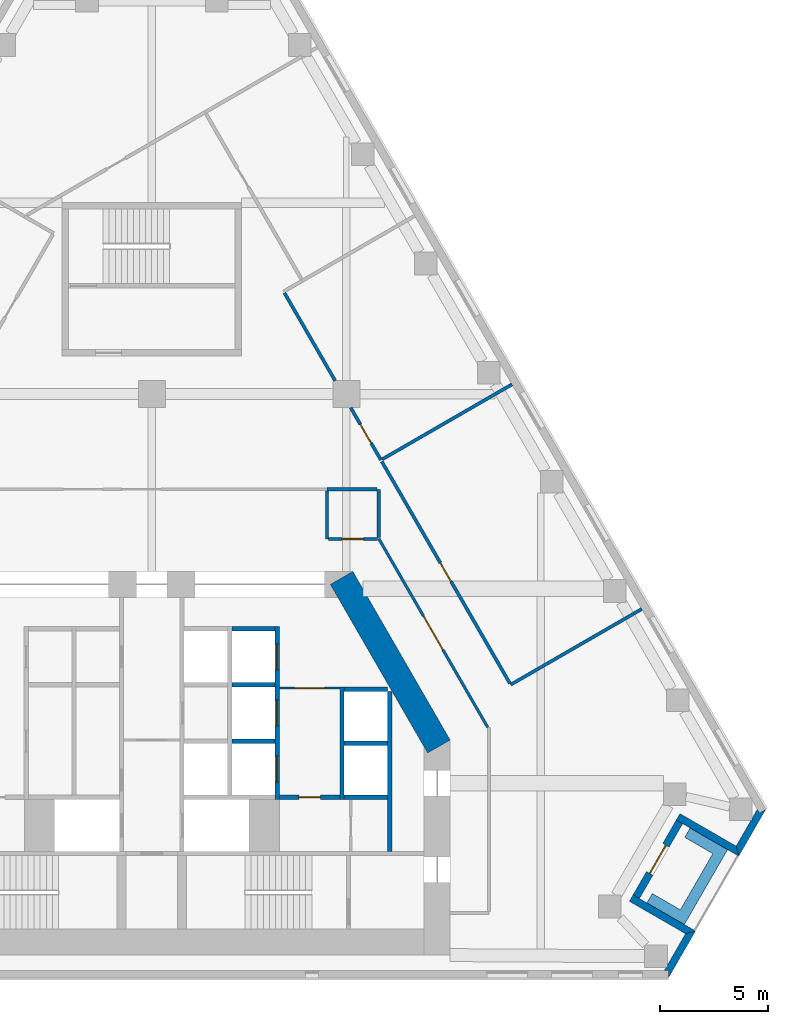
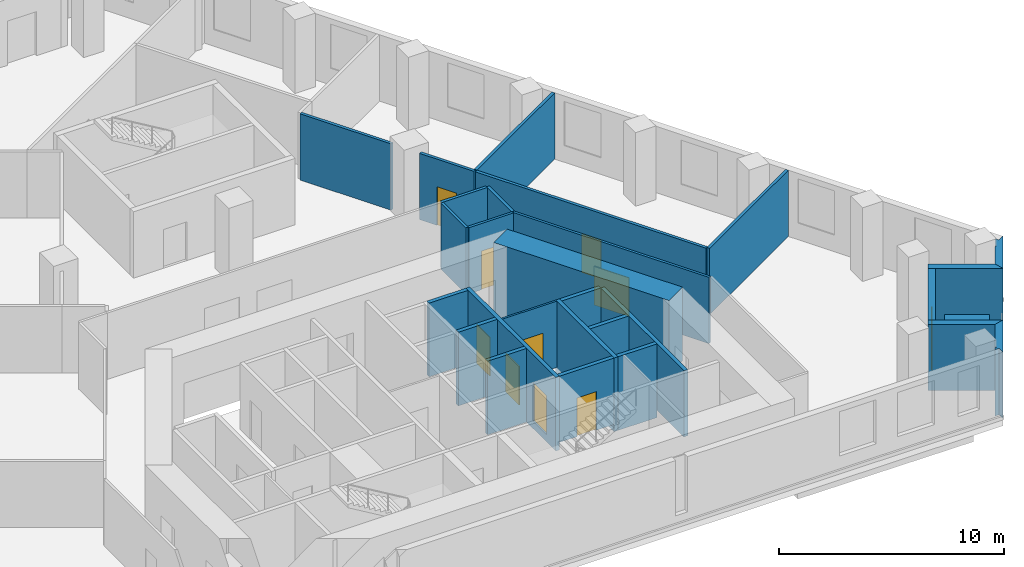
# One storey, part 5 of 7: 28 walls, 10 doors, 10 openings.
"""IFC4 building model written with IfcOpenShell, lengths in metres."""

from ifc_helpers import new_model, si_unit, direction, frame, frame_2d, origin, place, context, subcontext, project, spatial, polyline, rectangle, outline, extrude, material, layer, layer_set, type_object, element, fill, save


model = new_model("IFC4")

# Units and contexts
model_context = context("Model", 3, precision=1e-05, world=origin(), true_north=direction((0.0, 1.0)))
body_context = subcontext(model_context, "Body", "Model", "MODEL_VIEW")
ifc_project = project(units=[si_unit("LENGTHUNIT", "METRE"), si_unit("AREAUNIT", "SQUARE_METRE"), si_unit("VOLUMEUNIT", "CUBIC_METRE"), si_unit("PLANEANGLEUNIT", "RADIAN"), si_unit("MASSUNIT", "GRAM", prefix="KILO")], contexts=[model_context])

# Site, building, storey
site_placement = place(None, origin())
site = spatial("IfcSite", under=ifc_project, at=site_placement, CompositionType="ELEMENT")
building_placement = place(site_placement, origin())
building = spatial("IfcBuilding", under=site, at=building_placement, Name="Fogline Exchange Tower", CompositionType="ELEMENT")
storey_placement = place(building_placement, frame((0.0, 0.0, 170.89990234375)))
storey = spatial("IfcBuildingStorey", under=building, at=storey_placement, Name="L38", CompositionType="ELEMENT", Elevation=170.89990234375)

# Wall, opening, door
ifc_material_1 = material(Name="Blockwork partition", Category="masonry")
ifc_layer_1 = layer(ifc_material_1, 0.10009765625)
ifc_layer_set_1 = layer_set([ifc_layer_1], Name="CW10")
wall_type_1 = type_object("IfcWallType", Name="CW10", PredefinedType="PARTITIONING", material=ifc_layer_set_1)
wall_1_placement = place(storey_placement, frame((5.89990234375, 13.39990234375, 0.0), z_axis=(0.0, 0.0, 1.0), x_axis=(1.0, 0.0, 0.0)))
wall_1 = element("IfcWall", 1, at=wall_1_placement, inside=storey, type_object=wall_type_1, Name="Lift lobby partition", PredefinedType="PARTITIONING", context=body_context, shape_type="SweptSolid", body=[
    extrude(rectangle(XDim=2.800048828125, YDim=0.10009765625, at=frame_2d((1.39990234375, 0.0))), origin(), (0.0, 0.0, 1.0), 3.60009765625),
])
opening_1_placement = place(wall_1_placement, frame((0.699951171875, 0.0, 0.0)))
opening_1 = element("IfcOpeningElement", 2, at=opening_1_placement, cuts=wall_1, Name="Opening T12-C013", PredefinedType="OPENING", context=body_context, shape_type="SweptSolid", body=[
    extrude(rectangle(XDim=1.39990234375, YDim=2.10009765625, at=frame_2d((0.699951171875, 1.050048828125))), frame((0.0, 0.06005859375, 0.0), z_axis=(0.0, -1.0, 0.0), x_axis=(1.0, 0.0, 0.0)), (0.0, 0.0, 1.0), 0.1201171875),
])
ifc_material_2 = material(Name="Steel and timber fire door", Category="steel")
door_type_1 = type_object("IfcDoorType", Name="D-LB1", OperationType="DOUBLE_DOOR_SINGLE_SWING", PredefinedType="DOOR", material=ifc_material_2)
door_1_placement = place(opening_1_placement, frame((1.39990234375, 0.0, 0.0), z_axis=(0.0, 0.0, 1.0), x_axis=(-1.0, 0.0, 0.0)))
door_1 = element("IfcDoor", 3, at=door_1_placement, inside=storey, type_object=door_type_1, Name="Door to lift lobby", OperationType="DOUBLE_DOOR_SINGLE_SWING", OverallHeight=2.10009765625, OverallWidth=1.39990234375, PredefinedType="DOOR", context=body_context, shape_type="SweptSolid", body=[
    extrude(rectangle(XDim=1.39990234375, YDim=2.10009765625, at=frame_2d((0.699951171875, 1.050048828125))), frame((0.0, 0.02490234375, 0.0), z_axis=(0.0, -1.0, 0.0), x_axis=(1.0, 0.0, 0.0)), (0.0, 0.0, 1.0), 0.050048828125),
])
fill(opening_1, door_1)

# Wall
ifc_material_3 = material(Name="Concrete C40", Category="concrete")
ifc_layer_2 = layer(ifc_material_3, 0.199951171875)
ifc_layer_set_2 = layer_set([ifc_layer_2], Name="CW20")
wall_type_2 = type_object("IfcWallType", Name="CW20", PredefinedType="SOLIDWALL", material=ifc_layer_set_2)
wall_2_placement = place(storey_placement, frame((11.0, 5.85009765625, 0.0), z_axis=(0.0, 0.0, 1.0), x_axis=(0.0, 1.0, 0.0)))
element("IfcWall", 4, at=wall_2_placement, inside=storey, type_object=wall_type_2, Name="Service room wall", PredefinedType="SOLIDWALL", context=body_context, shape_type="SweptSolid", body=[
    extrude(rectangle(XDim=7.39990234375, YDim=0.199951171875, at=frame_2d((3.699951171875, 0.0))), origin(), (0.0, 0.0, 1.0), 3.60009765625),
])

# Wall, opening, door
wall_3_placement = place(storey_placement, frame((5.89990234375, 8.35009765625, 0.0), z_axis=(0.0, 0.0, 1.0), x_axis=(1.0, 0.0, 0.0)))
wall_3 = element("IfcWall", 5, at=wall_3_placement, inside=storey, type_object=wall_type_2, Name="WC wall", PredefinedType="SOLIDWALL", context=body_context, shape_type="SweptSolid", body=[
    extrude(rectangle(XDim=2.800048828125, YDim=0.199951171875, at=frame_2d((1.39990234375, 0.0))), origin(), (0.0, 0.0, 1.0), 3.60009765625),
])
opening_2_placement = place(wall_3_placement, frame((0.89990234375, 0.0, 0.0)))
opening_2 = element("IfcOpeningElement", 6, at=opening_2_placement, cuts=wall_3, Name="Opening T12-C014", PredefinedType="OPENING", context=body_context, shape_type="SweptSolid", body=[
    extrude(rectangle(XDim=1.0, YDim=2.10009765625, at=frame_2d((0.5, 1.050048828125))), frame((0.0, 0.10986328125, 0.0), z_axis=(0.0, -1.0, 0.0), x_axis=(1.0, 0.0, 0.0)), (0.0, 0.0, 1.0), 0.219970703125),
])
door_type_2 = type_object("IfcDoorType", Name="D-WC1", OperationType="SINGLE_SWING_LEFT", PredefinedType="DOOR", material=ifc_material_2)
door_2_placement = place(opening_2_placement, frame((1.0, 0.0, 0.0), z_axis=(0.0, 0.0, 1.0), x_axis=(-1.0, 0.0, 0.0)))
door_2 = element("IfcDoor", 7, at=door_2_placement, inside=storey, type_object=door_type_2, Name="Door to Women's WC", OperationType="SINGLE_SWING_LEFT", OverallHeight=2.10009765625, OverallWidth=1.0, PredefinedType="DOOR", context=body_context, shape_type="SweptSolid", body=[
    extrude(rectangle(XDim=1.0, YDim=2.10009765625, at=frame_2d((0.5, 1.050048828125))), frame((0.0, 0.02490234375, 0.0), z_axis=(0.0, -1.0, 0.0), x_axis=(1.0, 0.0, 0.0)), (0.0, 0.0, 1.0), 0.050048828125),
])
fill(opening_2, door_2)

# Wall
ifc_layer_3 = layer(ifc_material_3, 0.199951171875)
ifc_layer_set_3 = layer_set([ifc_layer_3], Name="CW20S")
wall_type_3 = type_object("IfcWallType", Name="CW20S", PredefinedType="SOLIDWALL", material=ifc_layer_set_3)
wall_4_placement = place(storey_placement, frame((8.800048828125, 8.25, -0.39990234375), z_axis=(0.0, 0.0, 1.0), x_axis=(0.0, 1.0, 0.0)))
element("IfcWall", 8, at=wall_4_placement, inside=storey, type_object=wall_type_3, Name="Lift shaft wall", PredefinedType="SOLIDWALL", context=body_context, shape_type="SweptSolid", body=[
    extrude(rectangle(XDim=5.199951171875, YDim=0.199951171875, at=frame_2d((2.60009765625, 0.0))), origin(), (0.0, 0.0, 1.0), 4.0),
])

# Wall, openings, doors
wall_5_placement = place(storey_placement, frame((5.800048828125, 8.25, -0.39990234375), z_axis=(0.0, 0.0, 1.0), x_axis=(0.0, 1.0, 0.0)))
wall_5 = element("IfcWall", 9, at=wall_5_placement, inside=storey, type_object=wall_type_3, Name="Lift shaft wall", PredefinedType="SOLIDWALL", context=body_context, shape_type="SweptSolid", body=[
    extrude(rectangle(XDim=8.0, YDim=0.199951171875, at=frame_2d((4.0, 0.0))), origin(), (0.0, 0.0, 1.0), 4.0),
])
opening_3_placement = place(wall_5_placement, frame((0.800048828125, 0.0, 0.39990234375)))
opening_3 = element("IfcOpeningElement", 10, at=opening_3_placement, cuts=wall_5, Name="Opening T12-LD02", PredefinedType="OPENING", context=body_context, shape_type="SweptSolid", body=[
    extrude(rectangle(XDim=1.199951171875, YDim=2.10009765625, at=frame_2d((0.60009765625, 1.050048828125))), frame((0.0, 0.10986328125, 0.0), z_axis=(0.0, -1.0, 0.0), x_axis=(1.0, 0.0, 0.0)), (0.0, 0.0, 1.0), 0.219970703125),
])
opening_4_placement = place(wall_5_placement, frame((3.39990234375, 0.0, 0.39990234375)))
opening_4 = element("IfcOpeningElement", 11, at=opening_4_placement, cuts=wall_5, Name="Opening T12-LD03", PredefinedType="OPENING", context=body_context, shape_type="SweptSolid", body=[
    extrude(rectangle(XDim=1.199951171875, YDim=2.10009765625, at=frame_2d((0.60009765625, 1.050048828125))), frame((0.0, 0.10986328125, 0.0), z_axis=(0.0, -1.0, 0.0), x_axis=(1.0, 0.0, 0.0)), (0.0, 0.0, 1.0), 0.219970703125),
])
opening_5_placement = place(wall_5_placement, frame((6.0, 0.0, 0.39990234375)))
opening_5 = element("IfcOpeningElement", 12, at=opening_5_placement, cuts=wall_5, Name="Opening T12-LD04", PredefinedType="OPENING", context=body_context, shape_type="SweptSolid", body=[
    extrude(rectangle(XDim=1.199951171875, YDim=2.10009765625, at=frame_2d((0.60009765625, 1.050048828125))), frame((0.0, 0.10986328125, 0.0), z_axis=(0.0, -1.0, 0.0), x_axis=(1.0, 0.0, 0.0)), (0.0, 0.0, 1.0), 0.219970703125),
])
door_type_3 = type_object("IfcDoorType", Name="LD1", OperationType="SLIDING_TO_LEFT", PredefinedType="DOOR", material=ifc_material_2)
door_3_placement = place(opening_3_placement, origin())
door_3 = element("IfcDoor", 13, at=door_3_placement, inside=storey, type_object=door_type_3, Name="Landing door MR1", OperationType="SLIDING_TO_LEFT", OverallHeight=2.10009765625, OverallWidth=1.199951171875, PredefinedType="DOOR", context=body_context, shape_type="SweptSolid", body=[
    extrude(rectangle(XDim=1.199951171875, YDim=2.10009765625, at=frame_2d((0.60009765625, 1.050048828125))), frame((0.0, 0.02490234375, 0.0), z_axis=(0.0, -1.0, 0.0), x_axis=(1.0, 0.0, 0.0)), (0.0, 0.0, 1.0), 0.050048828125),
])
fill(opening_3, door_3)
door_4_placement = place(opening_4_placement, origin())
door_4 = element("IfcDoor", 14, at=door_4_placement, inside=storey, type_object=door_type_3, Name="Landing door MR2", OperationType="SLIDING_TO_LEFT", OverallHeight=2.10009765625, OverallWidth=1.199951171875, PredefinedType="DOOR", context=body_context, shape_type="SweptSolid", body=[
    extrude(rectangle(XDim=1.199951171875, YDim=2.10009765625, at=frame_2d((0.60009765625, 1.050048828125))), frame((0.0, 0.02490234375, 0.0), z_axis=(0.0, -1.0, 0.0), x_axis=(1.0, 0.0, 0.0)), (0.0, 0.0, 1.0), 0.050048828125),
])
fill(opening_4, door_4)
door_5_placement = place(opening_5_placement, origin())
door_5 = element("IfcDoor", 15, at=door_5_placement, inside=storey, type_object=door_type_3, Name="Landing door MR3", OperationType="SLIDING_TO_LEFT", OverallHeight=2.10009765625, OverallWidth=1.199951171875, PredefinedType="DOOR", context=body_context, shape_type="SweptSolid", body=[
    extrude(rectangle(XDim=1.199951171875, YDim=2.10009765625, at=frame_2d((0.60009765625, 1.050048828125))), frame((0.0, 0.02490234375, 0.0), z_axis=(0.0, -1.0, 0.0), x_axis=(1.0, 0.0, 0.0)), (0.0, 0.0, 1.0), 0.050048828125),
])
fill(opening_5, door_5)

# Walls
for number, where, z_axis, x_axis, name in (
    (16, (8.89990234375, 8.35009765625, -0.39990234375), (0.0, 0.0, 1.0), (1.0, 0.0, 0.0), "Lift shaft wall"),
    (17, (8.89990234375, 10.85009765625, -0.39990234375), (0.0, 0.0, 1.0), (1.0, 0.0, 0.0), "Lift shaft wall"),
    (18, (8.89990234375, 13.35009765625, -0.39990234375), (0.0, 0.0, 1.0), (1.0, 0.0, 0.0), "Lift shaft wall"),
    (19, (3.699951171875, 10.949951171875, -0.39990234375), (0.0, 0.0, 1.0), (1.0, 0.0, 0.0), "Lift shaft wall"),
    (20, (3.699951171875, 13.550048828125, -0.39990234375), (0.0, 0.0, 1.0), (1.0, 0.0, 0.0), "Lift shaft wall"),
    (21, (3.699951171875, 16.14990234375, -0.39990234375), (0.0, 0.0, 1.0), (1.0, 0.0, 0.0), "Lift shaft wall"),
):
    element("IfcWall", number, at=place(storey_placement, frame(where, z_axis=z_axis, x_axis=x_axis)), inside=storey, type_object=wall_type_3, Name=name, PredefinedType="SOLIDWALL", context=body_context, shape_type="SweptSolid", body=[
        extrude(rectangle(XDim=2.0, YDim=0.199951171875, at=frame_2d((1.0, 0.0))), origin(), (0.0, 0.0, 1.0), 4.0),
    ])
ifc_material_4 = material(Name="Brick masonry", Category="masonry")
ifc_layer_4 = layer(ifc_material_4, 0.340087890625)
ifc_layer_set_4 = layer_set([ifc_layer_4], Name="FW1")
wall_type_4 = type_object("IfcWallType", Name="FW1", PredefinedType="SOLIDWALL", material=ifc_layer_set_4)
wall_6_placement = place(storey_placement, origin())
element("IfcWall", 22, at=wall_6_placement, inside=storey, type_object=wall_type_4, Name="Brick wall L38 SE-c1", PredefinedType="SOLIDWALL", context=body_context, shape_type="SweptSolid", body=[
    extrude(outline(polyline([(25.15478515625, 2.165771484375), (23.903564453125, -0.001220703125), (23.903076171875, -0.0009765625), (23.903076171875, 0.33935546875), (23.706298828125, 0.33935546875), (23.78466796875, 0.47509765625), (23.851318359375, 0.47509765625), (23.851318359375, 0.590576171875), (24.68896484375, 2.041015625), (25.154541015625, 2.166015625), (25.15478515625, 2.165771484375)])), origin(), (0.0, 0.0, 1.0), 3.60009765625),
])
wall_7_placement = place(storey_placement, origin())
element("IfcWall", 23, at=wall_7_placement, inside=storey, type_object=wall_type_4, Name="Brick wall L38 SE-s1", PredefinedType="SOLIDWALL", context=body_context, shape_type="SweptSolid", body=[
    extrude(outline(polyline([(22.09033203125, 3.540283203125), (22.260986328125, 3.8359375), (22.555908203125, 3.66552734375), (25.155029296875, 2.1650390625), (25.15478515625, 2.164794921875), (24.689208984375, 2.0400390625), (22.09033203125, 3.540283203125)])), origin(), (0.0, 0.0, 1.0), 3.60009765625),
])

# Wall, opening, door
wall_8_placement = place(storey_placement, frame((22.408447265625, 3.75, 0.0), z_axis=(0.0, 0.0, 1.0), x_axis=(0.49999894854, 0.866026010844, 0.0)))
wall_8 = element("IfcWall", 24, at=wall_8_placement, inside=storey, type_object=wall_type_4, Name="Brick wall L38 SE-bk", PredefinedType="SOLIDWALL", context=body_context, shape_type="SweptSolid", body=[
    extrude(rectangle(XDim=4.0, YDim=0.340087890625, at=frame_2d((2.0, 0.0))), origin(), (0.0, 0.0, 1.0), 3.60009765625),
])
opening_6_placement = place(wall_8_placement, frame((1.25, 0.0, 0.0)))
opening_6 = element("IfcOpeningElement", 25, at=opening_6_placement, cuts=wall_8, Name="Opening T12-E081", PredefinedType="OPENING", context=body_context, shape_type="SweptSolid", body=[
    extrude(rectangle(XDim=1.5, YDim=2.39990234375, at=frame_2d((0.75, 1.199951171875))), frame((0.0, 0.18017578125, 0.0), z_axis=(0.0, -1.0, 0.0), x_axis=(1.0, 0.0, 0.0)), (0.0, 0.0, 1.0), 0.360107421875),
])
ifc_material_5 = material(Name="Aluminium and glass", Category="aluminium")
door_type_4 = type_object("IfcDoorType", Name="ED4", OperationType="SINGLE_SWING_LEFT", PredefinedType="DOOR", material=ifc_material_5)
door_6_placement = place(opening_6_placement, frame((1.5, 0.0, 0.0), z_axis=(0.0, 0.0, 1.0), x_axis=(-1.0, 0.0, 0.0)))
door_6 = element("IfcDoor", 26, at=door_6_placement, inside=storey, type_object=door_type_4, Name="Balcony door L38 SE", OperationType="DOUBLE_DOOR_SINGLE_SWING", OverallHeight=2.39990234375, OverallWidth=1.5, PredefinedType="DOOR", context=body_context, shape_type="SweptSolid", body=[
    extrude(rectangle(XDim=1.5, YDim=2.39990234375, at=frame_2d((0.75, 1.199951171875))), frame((0.0, 0.02490234375, 0.0), z_axis=(0.0, -1.0, 0.0), x_axis=(1.0, 0.0, 0.0)), (0.0, 0.0, 1.0), 0.050048828125),
])
fill(opening_6, door_6)

# Walls
wall_9_placement = place(storey_placement, origin())
element("IfcWall", 27, at=wall_9_placement, inside=storey, type_object=wall_type_4, Name="Brick wall L38 SE-s2", PredefinedType="SOLIDWALL", context=body_context, shape_type="SweptSolid", body=[
    extrude(outline(polyline([(27.154296875, 5.628173828125), (24.555419921875, 7.128662109375), (24.26025390625, 7.298828125), (24.430908203125, 7.594482421875), (27.02978515625, 6.093994140625), (27.154541015625, 5.62841796875), (27.154296875, 5.628173828125)])), origin(), (0.0, 0.0, 1.0), 3.60009765625),
])
wall_10_placement = place(storey_placement, origin())
element("IfcWall", 28, at=wall_10_placement, inside=storey, type_object=wall_type_4, Name="Brick wall L38 SE-c2", PredefinedType="SOLIDWALL", context=body_context, shape_type="SweptSolid", body=[
    extrude(outline(polyline([(27.707275390625, 7.269287109375), (27.77392578125, 7.269287109375), (27.77392578125, 7.384765625), (28.010986328125, 7.79541015625), (28.109375, 7.625), (28.404296875, 7.79541015625), (28.40478515625, 7.794921875), (27.15380859375, 5.6279296875), (27.1533203125, 5.6279296875), (27.028564453125, 6.09375), (27.707275390625, 7.269287109375)])), origin(), (0.0, 0.0, 1.0), 3.60009765625),
])
ifc_material_6 = material(Name="Concrete C30", Category="concrete")
ifc_layer_5 = layer(ifc_material_6, 0.199951171875)
ifc_layer_set_5 = layer_set([ifc_layer_5], Name="PL1")
wall_type_5 = type_object("IfcWallType", Name="PL1", PredefinedType="USERDEFINED", material=ifc_layer_set_5)
wall_11_placement = place(storey_placement, origin())
element("IfcWall", 29, at=wall_11_placement, inside=storey, type_object=wall_type_5, Name="PLANTER balcony L38 SE", ObjectType="PLANTER", PredefinedType="USERDEFINED", context=body_context, shape_type="SweptSolid", body=[
    extrude(outline(polyline([(22.902099609375, 3.465087890625), (24.201171875, 2.715087890625), (24.201171875, 2.715087890625), (24.634033203125, 2.465087890625), (26.384033203125, 5.49609375), (26.634033203125, 5.92919921875), (24.902099609375, 6.92919921875), (24.652099609375, 6.49609375), (25.951171875, 5.74609375), (24.451171875, 3.148193359375), (23.152099609375, 3.898193359375), (22.902099609375, 3.465087890625)])), origin(), (0.0, 0.0, 1.0), 1.10009765625),
])

# Wall, opening, door
ifc_material_7 = material(Name="Plasterboard corridor partition with mineral wool, 2 layers each side")
ifc_layer_6 = layer(ifc_material_7, 0.125)
ifc_layer_set_6 = layer_set([ifc_layer_6], Name="PW2")
wall_type_6 = type_object("IfcWallType", Name="PW2", PredefinedType="PARTITIONING", material=ifc_layer_set_6)
wall_12_placement = place(storey_placement, frame((10.5, 20.314697265625, 0.0), z_axis=(0.0, 0.0, 1.0), x_axis=(0.500011923756, -0.866018519491, 0.0)))
wall_12 = element("IfcWall", 30, at=wall_12_placement, inside=storey, type_object=wall_type_6, Name="wall-L38-W001", PredefinedType="PARTITIONING", context=body_context, shape_type="SweptSolid", body=[
    extrude(rectangle(XDim=10.074951171875, YDim=0.125, at=frame_2d((5.03759765625, 0.0))), origin(), (0.0, 0.0, 1.0), 3.60009765625),
])
opening_7_placement = place(wall_12_placement, frame((4.137451171875, 0.0, 0.0)))
opening_7 = element("IfcOpeningElement", 31, at=opening_7_placement, cuts=wall_12, Name="Opening T12-D001", PredefinedType="OPENING", context=body_context, shape_type="SweptSolid", body=[
    extrude(rectangle(XDim=1.800048828125, YDim=2.10009765625, at=frame_2d((0.89990234375, 1.050048828125))), frame((0.0, 0.072509765625, 0.0), z_axis=(0.0, -1.0, 0.0), x_axis=(1.0, 0.0, 0.0)), (0.0, 0.0, 1.0), 0.14501953125),
])
ifc_material_8 = material(Name="Fire-rated timber door leaves with steel frame", Category="steel")
door_type_5 = type_object("IfcDoorType", Name="D4", OperationType="DOUBLE_DOOR_SINGLE_SWING", PredefinedType="DOOR", material=ifc_material_8)
door_7_placement = place(opening_7_placement, frame((1.800048828125, 0.0, 0.0), z_axis=(0.0, 0.0, 1.0), x_axis=(-1.0, 0.0, 0.0)))
door_7 = element("IfcDoor", 32, at=door_7_placement, inside=storey, type_object=door_type_5, Name="door-L38-D001", OperationType="DOUBLE_DOOR_SINGLE_SWING", OverallHeight=2.10009765625, OverallWidth=1.800048828125, PredefinedType="DOOR", context=body_context, shape_type="SweptSolid", body=[
    extrude(rectangle(XDim=1.800048828125, YDim=2.10009765625, at=frame_2d((0.89990234375, 1.050048828125))), frame((0.0, 0.02490234375, 0.0), z_axis=(0.0, -1.0, 0.0), x_axis=(1.0, 0.0, 0.0)), (0.0, 0.0, 1.0), 0.050048828125),
])
fill(opening_7, door_7)

# Wall
wall_13_placement = place(storey_placement, frame((8.10009765625, 22.5244140625, 0.0), z_axis=(0.0, 0.0, 1.0), x_axis=(0.0, -1.0, 0.0)))
element("IfcWall", 33, at=wall_13_placement, inside=storey, type_object=wall_type_6, Name="wall-L38-W004", PredefinedType="PARTITIONING", context=body_context, shape_type="SweptSolid", body=[
    extrude(rectangle(XDim=2.224365234375, YDim=0.125, at=frame_2d((1.1123046875, 0.0))), origin(), (0.0, 0.0, 1.0), 3.60009765625),
])

# Wall, opening, door
wall_14_placement = place(storey_placement, frame((8.16259765625, 20.300048828125, 0.0), z_axis=(0.0, 0.0, 1.0), x_axis=(1.0, 0.0, 0.0)))
wall_14 = element("IfcWall", 34, at=wall_14_placement, inside=storey, type_object=wall_type_6, Name="wall-L38-W005", PredefinedType="PARTITIONING", context=body_context, shape_type="SweptSolid", body=[
    extrude(rectangle(XDim=2.28271484375, YDim=0.125, at=frame_2d((1.141357421875, 0.0))), origin(), (0.0, 0.0, 1.0), 3.60009765625),
])
opening_8_placement = place(wall_14_placement, frame((0.6416015625, 0.0, 0.0)))
opening_8 = element("IfcOpeningElement", 35, at=opening_8_placement, cuts=wall_14, Name="Opening T12-D002", PredefinedType="OPENING", context=body_context, shape_type="SweptSolid", body=[
    extrude(rectangle(XDim=1.0, YDim=2.10009765625, at=frame_2d((0.5, 1.050048828125))), frame((0.0, 0.072509765625, 0.0), z_axis=(0.0, -1.0, 0.0), x_axis=(1.0, 0.0, 0.0)), (0.0, 0.0, 1.0), 0.14501953125),
])
ifc_material_9 = material(Name="Fire-rated timber door leaf with steel frame", Category="steel")
door_type_6 = type_object("IfcDoorType", Name="D3", OperationType="SINGLE_SWING_LEFT", PredefinedType="DOOR", material=ifc_material_9)
door_8_placement = place(opening_8_placement, origin())
door_8 = element("IfcDoor", 36, at=door_8_placement, inside=storey, type_object=door_type_6, Name="door-L38-D002", OperationType="SINGLE_SWING_LEFT", OverallHeight=2.10009765625, OverallWidth=1.0, PredefinedType="DOOR", context=body_context, shape_type="SweptSolid", body=[
    extrude(rectangle(XDim=1.0, YDim=2.10009765625, at=frame_2d((0.5, 1.050048828125))), frame((0.0, 0.02490234375, 0.0), z_axis=(0.0, -1.0, 0.0), x_axis=(1.0, 0.0, 0.0)), (0.0, 0.0, 1.0), 0.050048828125),
])
fill(opening_8, door_8)

# Walls
ifc_material_10 = material(Name="Plasterboard demising partition with mineral wool and acoustic board")
ifc_layer_7 = layer(ifc_material_10, 0.14990234375)
ifc_layer_set_7 = layer_set([ifc_layer_7], Name="PW3")
wall_type_7 = type_object("IfcWallType", Name="PW3", PredefinedType="PARTITIONING", material=ifc_layer_set_7)
wall_15_placement = place(storey_placement, frame((10.665283203125, 23.989013671875, 0.0), z_axis=(0.0, 0.0, 1.0), x_axis=(0.866017078145, 0.500014420154, 0.0)))
element("IfcWall", 37, at=wall_15_placement, inside=storey, type_object=wall_type_7, Name="wall-L38-W013", PredefinedType="PARTITIONING", context=body_context, shape_type="SweptSolid", body=[
    extrude(rectangle(XDim=6.924560546875, YDim=0.14990234375, at=frame_2d((3.46240234375, 0.0))), origin(), (0.0, 0.0, 1.0), 3.60009765625),
])
wall_16_placement = place(storey_placement, frame((22.662109375, 17.05908203125, 0.0), z_axis=(0.0, 0.0, 1.0), x_axis=(-0.866028190633, -0.499995173006, 0.0)))
element("IfcWall", 38, at=wall_16_placement, inside=storey, type_object=wall_type_7, Name="wall-L38-W014", PredefinedType="PARTITIONING", context=body_context, shape_type="SweptSolid", body=[
    extrude(rectangle(XDim=7.0, YDim=0.14990234375, at=frame_2d((3.5, 0.0))), origin(), (0.0, 0.0, 1.0), 3.60009765625),
])

# Wall, opening, door
wall_17_placement = place(storey_placement, frame((16.5625, 13.6240234375, 0.0), z_axis=(0.0, 0.0, 1.0), x_axis=(-0.500003648888, 0.866023297088, 0.0)))
wall_17 = element("IfcWall", 39, at=wall_17_placement, inside=storey, type_object=wall_type_7, Name="wall-L38-W015", PredefinedType="PARTITIONING", context=body_context, shape_type="SweptSolid", body=[
    extrude(rectangle(XDim=11.849609375, YDim=0.14990234375, at=frame_2d((5.9248046875, 0.0))), origin(), (0.0, 0.0, 1.0), 3.60009765625),
])
opening_9_placement = place(wall_17_placement, frame((5.4248046875, 0.0, 0.0)))
opening_9 = element("IfcOpeningElement", 40, at=opening_9_placement, cuts=wall_17, Name="Opening T12-D007", PredefinedType="OPENING", context=body_context, shape_type="SweptSolid", body=[
    extrude(rectangle(XDim=1.0, YDim=2.10009765625, at=frame_2d((0.5, 1.050048828125))), frame((0.0, 0.0849609375, 0.0), z_axis=(0.0, -1.0, 0.0), x_axis=(1.0, 0.0, 0.0)), (0.0, 0.0, 1.0), 0.169921875),
])
door_9_placement = place(opening_9_placement, frame((1.0, 0.0, 0.0), z_axis=(0.0, 0.0, 1.0), x_axis=(-1.0, 0.0, 0.0)))
door_9 = element("IfcDoor", 41, at=door_9_placement, inside=storey, type_object=door_type_6, Name="door-L38-D007", OperationType="SINGLE_SWING_LEFT", OverallHeight=2.10009765625, OverallWidth=1.0, PredefinedType="DOOR", context=body_context, shape_type="SweptSolid", body=[
    extrude(rectangle(XDim=1.0, YDim=2.10009765625, at=frame_2d((0.5, 1.050048828125))), frame((0.0, 0.02490234375, 0.0), z_axis=(0.0, -1.0, 0.0), x_axis=(1.0, 0.0, 0.0)), (0.0, 0.0, 1.0), 0.050048828125),
])
fill(opening_9, door_9)

# Walls
wall_18_placement = place(storey_placement, frame((10.5, 22.60009765625, 0.0), z_axis=(0.0, 0.0, 1.0), x_axis=(0.0, -1.0, 0.0)))
element("IfcWall", 42, at=wall_18_placement, inside=storey, type_object=wall_type_7, Name="wall-L38-W016", PredefinedType="PARTITIONING", context=body_context, shape_type="SweptSolid", body=[
    extrude(rectangle(XDim=2.237548828125, YDim=0.14990234375, at=frame_2d((1.11865234375, 0.0))), origin(), (0.0, 0.0, 1.0), 3.60009765625),
])
wall_19_placement = place(storey_placement, frame((8.10009765625, 22.60009765625, 0.0), z_axis=(0.0, 0.0, 1.0), x_axis=(1.0, 0.0, 0.0)))
element("IfcWall", 43, at=wall_19_placement, inside=storey, type_object=wall_type_7, Name="wall-L38-W017", PredefinedType="PARTITIONING", context=body_context, shape_type="SweptSolid", body=[
    extrude(rectangle(XDim=2.324951171875, YDim=0.14990234375, at=frame_2d((1.16259765625, 0.0))), origin(), (0.0, 0.0, 1.0), 3.60009765625),
])

# Wall, opening, door
wall_20_placement = place(storey_placement, frame((10.599853515625, 23.951416015625, 0.0), z_axis=(0.0, 0.0, 1.0), x_axis=(-0.499976698542, 0.86603885647, 0.0)))
wall_20 = element("IfcWall", 44, at=wall_20_placement, inside=storey, type_object=wall_type_7, Name="wall-L38-W019", PredefinedType="PARTITIONING", context=body_context, shape_type="SweptSolid", body=[
    extrude(rectangle(XDim=2.798583984375, YDim=0.14990234375, at=frame_2d((1.3994140625, 0.0))), origin(), (0.0, 0.0, 1.0), 3.60009765625),
])
opening_10_placement = place(wall_20_placement, frame((0.8994140625, 0.0, 0.0)))
opening_10 = element("IfcOpeningElement", 45, at=opening_10_placement, cuts=wall_20, Name="Opening T12-D008", PredefinedType="OPENING", context=body_context, shape_type="SweptSolid", body=[
    extrude(rectangle(XDim=1.0, YDim=2.10009765625, at=frame_2d((0.5, 1.050048828125))), frame((0.0, 0.0849609375, 0.0), z_axis=(0.0, -1.0, 0.0), x_axis=(1.0, 0.0, 0.0)), (0.0, 0.0, 1.0), 0.169921875),
])
door_10_placement = place(opening_10_placement, frame((1.0, 0.0, 0.0), z_axis=(0.0, 0.0, 1.0), x_axis=(-1.0, 0.0, 0.0)))
door_10 = element("IfcDoor", 46, at=door_10_placement, inside=storey, type_object=door_type_6, Name="door-L38-D008", OperationType="SINGLE_SWING_RIGHT", OverallHeight=2.10009765625, OverallWidth=1.0, PredefinedType="DOOR", context=body_context, shape_type="SweptSolid", body=[
    extrude(rectangle(XDim=1.0, YDim=2.10009765625, at=frame_2d((0.5, 1.050048828125))), frame((0.0, 0.02490234375, 0.0), z_axis=(0.0, -1.0, 0.0), x_axis=(1.0, 0.0, 0.0)), (0.0, 0.0, 1.0), 0.050048828125),
])
fill(opening_10, door_10)

# Walls
wall_21_placement = place(storey_placement, frame((8.47900390625, 27.625, 0.0), z_axis=(0.0, 0.0, 1.0), x_axis=(-0.500024816419, 0.866011075544, 0.0)))
element("IfcWall", 47, at=wall_21_placement, inside=storey, type_object=wall_type_7, Name="wall-L38-W020", PredefinedType="PARTITIONING", context=body_context, shape_type="SweptSolid", body=[
    extrude(rectangle(XDim=4.682861328125, YDim=0.14990234375, at=frame_2d((2.34130859375, 0.0))), origin(), (0.0, 0.0, 1.0), 3.60009765625),
])
ifc_material_11 = material(Name="Concrete C60", Category="concrete")
ifc_layer_8 = layer(ifc_material_11, 1.199951171875)
ifc_layer_set_8 = layer_set([ifc_layer_8], Name="SW02")
wall_type_8 = type_object("IfcWallType", Name="SW02", PredefinedType="SHEAR", material=ifc_layer_set_8)
wall_22_placement = place(storey_placement, frame((13.280517578125, 10.698974609375, 0.0), z_axis=(0.0, 0.0, 1.0), x_axis=(-0.499998513025, 0.866026262288, 0.0)))
element("IfcWall", 48, at=wall_22_placement, inside=storey, type_object=wall_type_8, Name="L38-W903", PredefinedType="SHEAR", context=body_context, shape_type="SweptSolid", body=[
    extrude(rectangle(XDim=9.0078125, YDim=1.199951171875, at=frame_2d((4.50390625, 0.0))), origin(), (0.0, 0.0, 1.0), 4.0),
])

save(model, "model.ifc")
